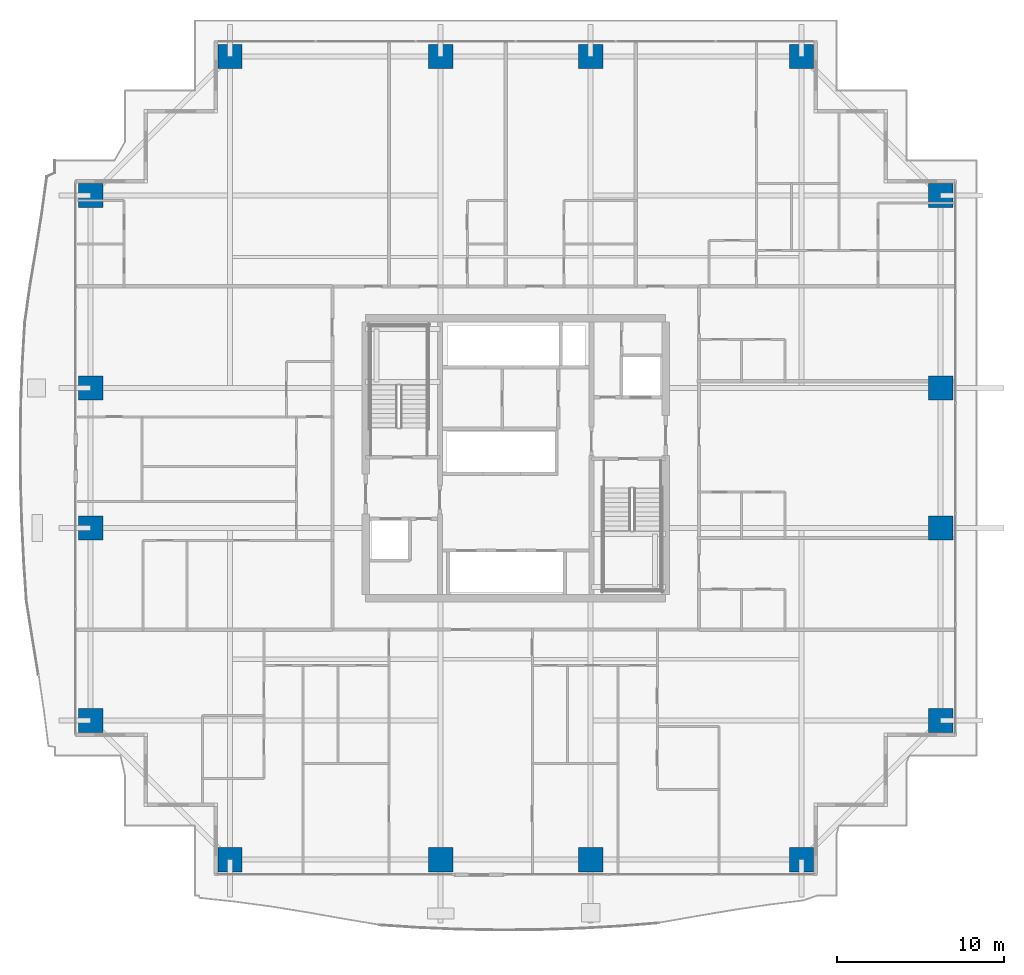
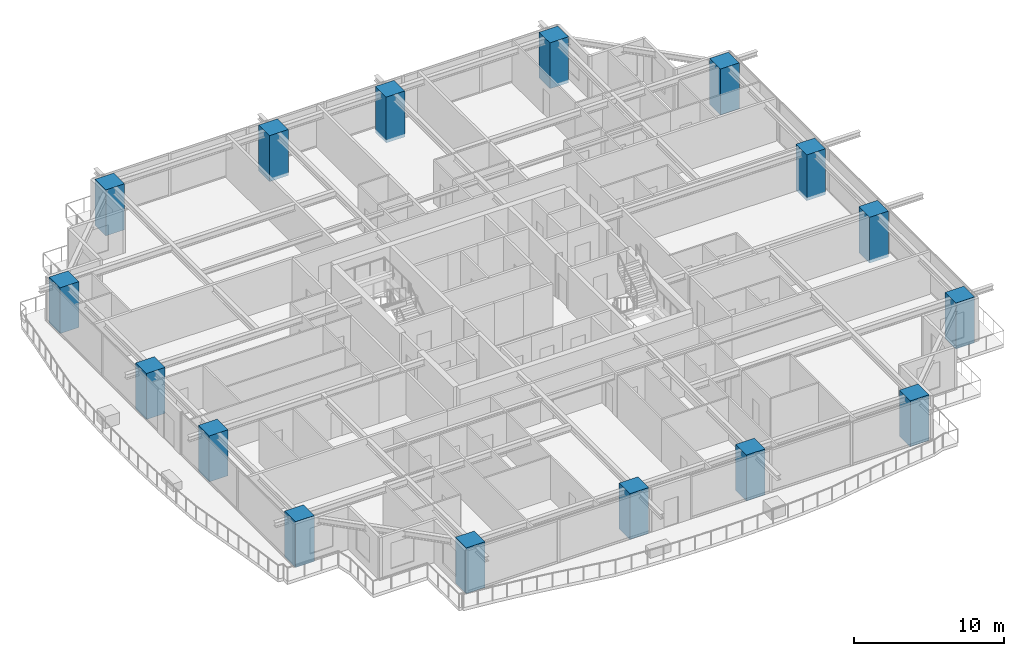
# One storey, part 1 of 40: 16 columns.
"""IFC4 building model written with IfcOpenShell, lengths in metres."""

from ifc_helpers import new_model, si_unit, direction, frame, origin, origin_2d, place, context, subcontext, project, spatial, rectangle, extrude, source, transform, mapped, material, material_profile, profile_set, type_object, element, save


model = new_model("IFC4")

# Units and contexts
model_context = context("Model", 3, precision=1e-05, world=origin(), true_north=direction((0.0, 1.0)))
body_context = subcontext(model_context, "Body", "Model", "MODEL_VIEW")
ifc_project = project(units=[si_unit("LENGTHUNIT", "METRE"), si_unit("AREAUNIT", "SQUARE_METRE"), si_unit("VOLUMEUNIT", "CUBIC_METRE"), si_unit("PLANEANGLEUNIT", "RADIAN"), si_unit("MASSUNIT", "GRAM", prefix="KILO")], contexts=[model_context])

# Site, building, storey
site_placement = place(None, origin())
site = spatial("IfcSite", under=ifc_project, at=site_placement, CompositionType="ELEMENT")
building_placement = place(site_placement, origin())
building = spatial("IfcBuilding", under=site, at=building_placement, Name="Serunith Strait Residences", CompositionType="ELEMENT")
storey_placement = place(building_placement, frame((0.0, 0.0, 90.449951171875)))
storey = spatial("IfcBuildingStorey", under=building, at=storey_placement, Name="L22", CompositionType="ELEMENT", Elevation=90.449951171875)

# Columns
ifc_material = material(Name="Concrete C90/105", Category="concrete")
ifc_material_profile = material_profile(ifc_material, rectangle(XDim=1.449951171875, YDim=1.449951171875, at=origin_2d()), Name="RC 1450x1450")
ifc_profile_set = profile_set([ifc_material_profile], Name="Concrete C90/105")
column_type = type_object("IfcColumnType", Name="COL-RC-1450", PredefinedType="COLUMN", material=ifc_profile_set)
shared_shape = source(origin(), body_context, "Body", "SweptSolid", [
    extrude(rectangle(XDim=1.449951171875, YDim=1.449951171875, at=origin_2d()), origin(), (0.0, 0.0, 1.0), 3.75),
])
for number, where, z_axis, x_axis, name in (
    (1, (15.25, 1.10009765625, -0.260009765625), (0.0, 0.0, 1.0), (1.0, 0.0, 0.0), "L22 Tower Mega-Column TC-S1"),
    (2, (27.89990234375, 1.10009765625, -0.260009765625), (0.0, 0.0, 1.0), (1.0, 0.0, 0.0), "L22 Tower Mega-Column TC-S2"),
    (3, (36.89990234375, 1.10009765625, -0.260009765625), (0.0, 0.0, 1.0), (1.0, 0.0, 0.0), "L22 Tower Mega-Column TC-S3"),
    (4, (49.550048828125, 1.10009765625, -0.260009765625), (0.0, 0.0, 1.0), (1.0, 0.0, 0.0), "L22 Tower Mega-Column TC-S4"),
    (5, (15.25, 49.300048828125, -0.260009765625), (0.0, 0.0, 1.0), (1.0, 0.0, 0.0), "L22 Tower Mega-Column TC-N1"),
    (6, (27.89990234375, 49.300048828125, -0.260009765625), (0.0, 0.0, 1.0), (1.0, 0.0, 0.0), "L22 Tower Mega-Column TC-N2"),
    (7, (36.89990234375, 49.300048828125, -0.260009765625), (0.0, 0.0, 1.0), (1.0, 0.0, 0.0), "L22 Tower Mega-Column TC-N3"),
    (8, (49.550048828125, 49.300048828125, -0.260009765625), (0.0, 0.0, 1.0), (1.0, 0.0, 0.0), "L22 Tower Mega-Column TC-N4"),
    (9, (57.89990234375, 9.449951171875, -0.260009765625), (0.0, 0.0, 1.0), (1.0, 0.0, 0.0), "L22 Tower Mega-Column TC-E1"),
    (10, (57.89990234375, 21.0, -0.260009765625), (0.0, 0.0, 1.0), (1.0, 0.0, 0.0), "L22 Tower Mega-Column TC-E2"),
    (11, (57.89990234375, 29.39990234375, -0.260009765625), (0.0, 0.0, 1.0), (1.0, 0.0, 0.0), "L22 Tower Mega-Column TC-E3"),
    (12, (57.89990234375, 40.949951171875, -0.260009765625), (0.0, 0.0, 1.0), (1.0, 0.0, 0.0), "L22 Tower Mega-Column TC-E4"),
    (13, (6.89990234375, 9.449951171875, -0.260009765625), (0.0, 0.0, 1.0), (1.0, 0.0, 0.0), "L22 Tower Mega-Column TC-W1"),
    (14, (6.89990234375, 21.0, -0.260009765625), (0.0, 0.0, 1.0), (1.0, 0.0, 0.0), "L22 Tower Mega-Column TC-W2"),
    (15, (6.89990234375, 29.39990234375, -0.260009765625), (0.0, 0.0, 1.0), (1.0, 0.0, 0.0), "L22 Tower Mega-Column TC-W3"),
    (16, (6.89990234375, 40.949951171875, -0.260009765625), (0.0, 0.0, 1.0), (1.0, 0.0, 0.0), "L22 Tower Mega-Column TC-W4"),
):
    element("IfcColumn", number, at=place(storey_placement, frame(where, z_axis=z_axis, x_axis=x_axis)), inside=storey, type_object=column_type, Name=name, PredefinedType="COLUMN", context=body_context, shape_type="MappedRepresentation", body=[
        mapped(shared_shape, transform((0.0, 0.0, 0.0), scale=1.0)),
    ])

save(model, "model.ifc")
